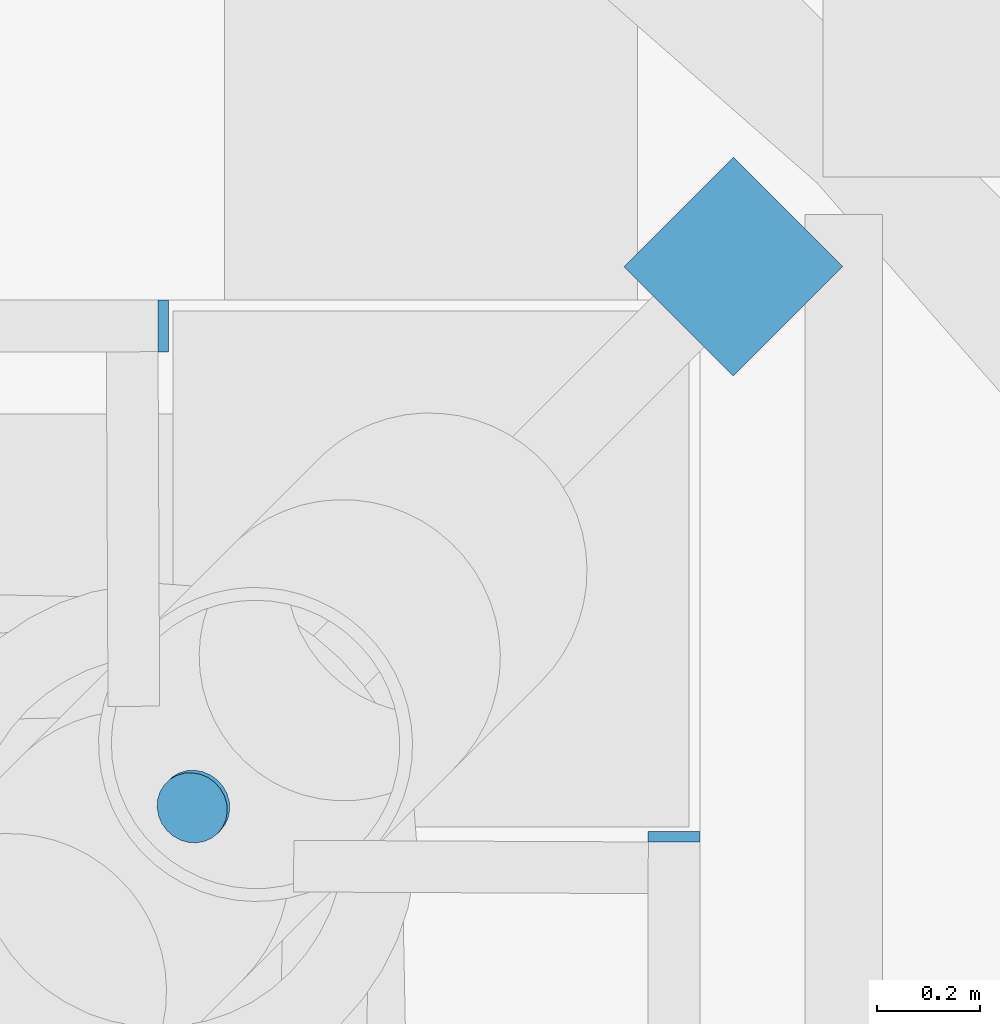
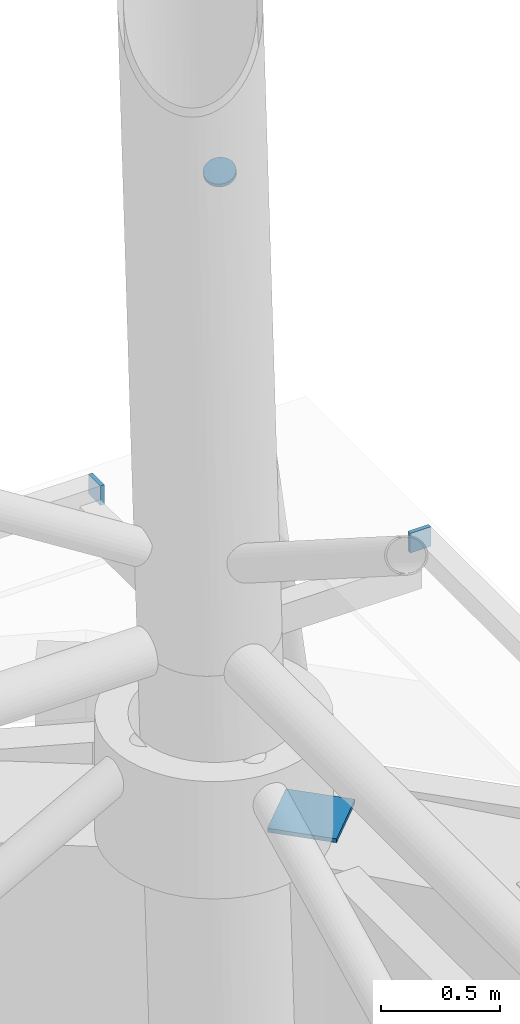
# One storey, part 33 of 36: 4 discrete accessories.
"""IFC4 building model written with IfcOpenShell, lengths in metres."""

from ifc_helpers import new_model, si_unit, direction, frame, origin, origin_2d, place, context, subcontext, project, spatial, rectangle, circle, extrude, material, material_profile, profile_set, type_object, element, save


model = new_model("IFC4")

# Units and contexts
model_context = context("Model", 3, precision=1e-05, world=origin(), true_north=direction((0.0, 1.0)))
body_context = subcontext(model_context, "Body", "Model", "MODEL_VIEW")
ifc_project = project(units=[si_unit("LENGTHUNIT", "METRE"), si_unit("AREAUNIT", "SQUARE_METRE"), si_unit("VOLUMEUNIT", "CUBIC_METRE"), si_unit("PLANEANGLEUNIT", "RADIAN"), si_unit("MASSUNIT", "GRAM", prefix="KILO")], contexts=[model_context])

# Site, building, storey
site_placement = place(None, origin())
site = spatial("IfcSite", under=ifc_project, at=site_placement, CompositionType="ELEMENT")
building_placement = place(site_placement, origin())
building = spatial("IfcBuilding", under=site, at=building_placement, Name="Ipe Terrace Towers", CompositionType="ELEMENT")
storey_placement = place(building_placement, frame((0.0, 0.0, 264.89990234375)))
storey = spatial("IfcBuildingStorey", under=building, at=storey_placement, Name="Roof", CompositionType="ELEMENT", Elevation=264.89990234375)

# Discrete accessories
ifc_material_1 = material(Name="Steel S355", Category="steel")
ifc_material_profile_1 = material_profile(ifc_material_1, rectangle(XDim=0.10009765625, YDim=0.10009765625, at=origin_2d()), Name="MAST END PLATE 100 x 100 x 20")
ifc_profile_set_1 = profile_set([ifc_material_profile_1], Name="Steel S355")
discrete_accessory_type_1 = type_object("IfcDiscreteAccessoryType", Name="MAST END PLATE 100 x 100 x 20", PredefinedType="BRACKET", material=ifc_profile_set_1)
for number, where, z_axis, x_axis, name in (
    (1, (39.470947265625, 2.470947265625, 10.2470703125), (0.0, 1.0, 0.0), (-1.0, 0.0, 0.0), "mast end plate"),
    (2, (38.470947265625, 3.470947265625, 10.2470703125), (1.0, 0.0, 0.0), (0.0, 1.0, 0.0), "mast end plate"),
):
    element("IfcDiscreteAccessory", number, at=place(storey_placement, frame(where, z_axis=z_axis, x_axis=x_axis)), inside=storey, type_object=discrete_accessory_type_1, Name=name, PredefinedType="BRACKET", context=body_context, shape_type="SweptSolid", body=[
        extrude(rectangle(XDim=0.10009765625, YDim=0.10009765625, at=origin_2d()), origin(), (0.0, 0.0, 1.0), 0.02001953125),
    ])
ifc_material_2 = material(Name="Steel S355", Category="steel")
ifc_material_profile_2 = material_profile(ifc_material_2, circle(Radius=0.070068359375, at=origin_2d()), Name="MAST END PLATE 140 DIA x 20")
ifc_profile_set_2 = profile_set([ifc_material_profile_2], Name="Steel S355")
discrete_accessory_type_2 = type_object("IfcDiscreteAccessoryType", Name="MAST END PLATE 140 DIA x 20", PredefinedType="BRACKET", material=ifc_profile_set_2)
discrete_accessory_1_placement = place(storey_placement, frame((38.5419921875, 2.5419921875, 12.403076171875), z_axis=(-0.241051348201, -0.241051348201, 0.940100257984), x_axis=(0.707106781187, -0.707106781187, 0.0)))
element("IfcDiscreteAccessory", 3, at=discrete_accessory_1_placement, inside=storey, type_object=discrete_accessory_type_2, Name="mast end plate", PredefinedType="BRACKET", context=body_context, shape_type="SweptSolid", body=[
    extrude(circle(Radius=0.070068359375, at=origin_2d()), origin(), (0.0, 0.0, 1.0), 0.020263671875),
])
ifc_material_3 = material(Name="Steel S355", Category="steel")
discrete_accessory_type_3 = type_object("IfcDiscreteAccessoryType", Name="MAST STAY BASE PLATE 300 x 300 x 20", PredefinedType="BRACKET", material=ifc_material_3)
discrete_accessory_2_placement = place(storey_placement, frame((39.5859375, 3.5859375, 8.110107421875), z_axis=(0.0, 0.0, 1.0), x_axis=(-0.707106781187, -0.707106781187, 0.0)))
element("IfcDiscreteAccessory", 4, at=discrete_accessory_2_placement, inside=storey, type_object=discrete_accessory_type_3, Name="mast stay base plate", PredefinedType="BRACKET", context=body_context, shape_type="SweptSolid", body=[
    extrude(rectangle(XDim=0.300048828125, YDim=0.300048828125, at=origin_2d()), origin(), (0.0, 0.0, 1.0), 0.02001953125),
])

save(model, "model.ifc")
